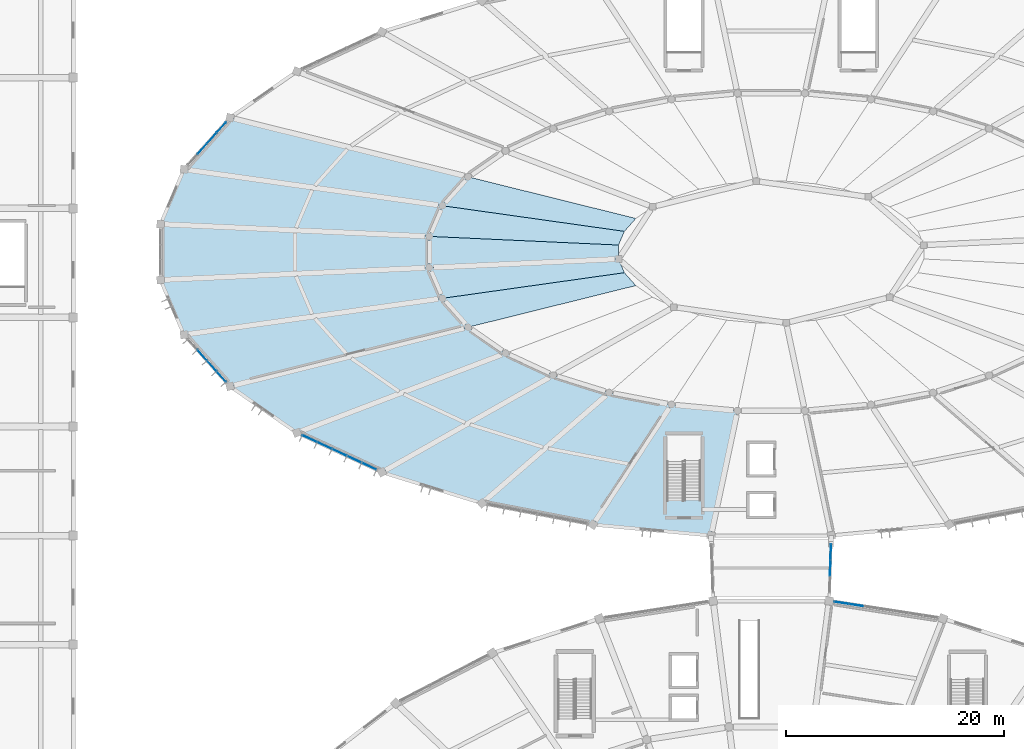
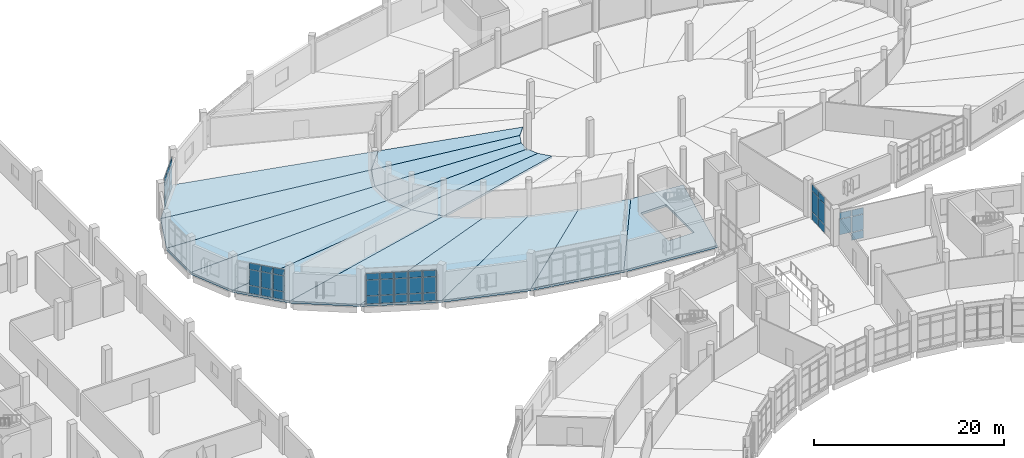
# One storey, part 94 of 179: 44 plates, 15 slabs, 5 elements without a shape of their own.
"""IFC4 building model written with IfcOpenShell, lengths in metres."""

from ifc_helpers import new_model, si_unit, direction, frame, origin, origin_2d, place, context, subcontext, project, spatial, polyline, rectangle, outline, extrude, material, layer, layer_set, type_object, element, aggregate, save


model = new_model("IFC4")

# Units and contexts
model_context = context("Model", 3, precision=1e-05, world=origin(), true_north=direction((0.0, 1.0)))
body_context = subcontext(model_context, "Body", "Model", "MODEL_VIEW")
ifc_project = project(units=[si_unit("LENGTHUNIT", "METRE"), si_unit("AREAUNIT", "SQUARE_METRE"), si_unit("VOLUMEUNIT", "CUBIC_METRE"), si_unit("PLANEANGLEUNIT", "RADIAN"), si_unit("MASSUNIT", "GRAM", prefix="KILO")], contexts=[model_context])

# Site, building, storey
site_placement = place(None, origin())
site = spatial("IfcSite", under=ifc_project, at=site_placement, CompositionType="ELEMENT")
building_placement = place(site_placement, origin())
building = spatial("IfcBuilding", under=site, at=building_placement, Name="Corvandel Quay Wholesale Market", CompositionType="ELEMENT")
storey_placement = place(building_placement, frame((0.0, 0.0, 6.0)))
storey = spatial("IfcBuildingStorey", under=building, at=storey_placement, Name="L01", CompositionType="ELEMENT", Elevation=6.0)

# Curtain wall, plates
ifc_material_1 = material(Name="Bronze anodised aluminium and low-E insulated glazing", Category="aluminium")
ifc_layer_1 = layer(ifc_material_1, 0.162109375)
ifc_layer_set_1 = layer_set([ifc_layer_1], Name="Bronze anodised aluminium and low-E insulated glazing")
curtain_wall_type_1 = type_object("IfcCurtainWallType", Name="Stick Curtain Wall System CW11 H3990", PredefinedType="NOTDEFINED", material=ifc_layer_set_1)
curtain_wall_1_placement = place(storey_placement, origin())
curtain_wall_1 = element("IfcCurtainWall", 1, at=curtain_wall_1_placement, inside=storey, type_object=curtain_wall_type_1, Name="Curtain Wall CW-0018", PredefinedType="NOTDEFINED")
ifc_material_2 = material(Name="Solar-control low-E insulated glazing", Category="glass")
ifc_layer_2 = layer(ifc_material_2, 0.0400390625)
ifc_layer_set_2 = layer_set([ifc_layer_2], Name="Solar-control low-E insulated glazing")
plate_type_1 = type_object("IfcPlateType", Name="Ceramic Fritted Spandrel Panel PN03 40mm", PredefinedType="CURTAIN_PANEL", material=ifc_layer_set_2)
plate_1_placement = place(storey_placement, frame((121.80859375, 83.61474609375, 3.1298828125), z_axis=(0.0, 0.0, 1.0), x_axis=(-0.98825506746, 0.152813355565, 0.0)))
plate_1 = element("IfcPlate", 2, at=plate_1_placement, type_object=plate_type_1, Name="Glazing Panel CW-0018-P05-2", PredefinedType="CURTAIN_PANEL", context=body_context, shape_type="SweptSolid", body=[
    extrude(rectangle(XDim=1.314453125, YDim=0.0400390625, at=origin_2d()), origin(), (0.0, 0.0, 1.0), 0.7900390625),
])
plate_2_placement = place(storey_placement, frame((120.4453125, 83.82568359375, 3.1298828125), z_axis=(0.0, 0.0, 1.0), x_axis=(-0.98825506746, 0.152813355565, 0.0)))
plate_2 = element("IfcPlate", 3, at=plate_2_placement, type_object=plate_type_1, Name="Glazing Panel CW-0018-P06-2", PredefinedType="CURTAIN_PANEL", context=body_context, shape_type="SweptSolid", body=[
    extrude(rectangle(XDim=1.314453125, YDim=0.0400390625, at=origin_2d()), origin(), (0.0, 0.0, 1.0), 0.7900390625),
])

ifc_layer_3 = layer(ifc_material_1, 0.14990234375)
ifc_layer_set_3 = layer_set([ifc_layer_3], Name="Bronze anodised aluminium and low-E insulated glazing")
curtain_wall_type_2 = type_object("IfcCurtainWallType", Name="Stick Curtain Wall System CW20 H4800", PredefinedType="NOTDEFINED", material=ifc_layer_set_3)
curtain_wall_2_placement = place(storey_placement, origin())
curtain_wall_2 = element("IfcCurtainWall", 4, at=curtain_wall_2_placement, inside=storey, type_object=curtain_wall_type_2, Name="Curtain Wall CW-0102", PredefinedType="NOTDEFINED")
plate_3_placement = place(storey_placement, frame((63.57568359375, 127.422119140625, 3.1298828125), z_axis=(0.0, 0.0, 1.0), x_axis=(0.665621202286, 0.746289766155, 0.0)))
plate_3 = element("IfcPlate", 5, at=plate_3_placement, type_object=plate_type_1, Name="Glazing Panel CW-0102-P00-2", PredefinedType="CURTAIN_PANEL", context=body_context, shape_type="SweptSolid", body=[
    extrude(rectangle(XDim=1.250244140625, YDim=0.0400390625, at=origin_2d()), origin(), (0.0, 0.0, 1.0), 0.7900390625),
])
plate_4_placement = place(storey_placement, frame((62.7001953125, 126.440673828125, 3.1298828125), z_axis=(0.0, 0.0, 1.0), x_axis=(0.665621202286, 0.746289766155, 0.0)))
plate_4 = element("IfcPlate", 6, at=plate_4_placement, type_object=plate_type_1, Name="Glazing Panel CW-0102-P01-2", PredefinedType="CURTAIN_PANEL", context=body_context, shape_type="SweptSolid", body=[
    extrude(rectangle(XDim=1.250244140625, YDim=0.0400390625, at=origin_2d()), origin(), (0.0, 0.0, 1.0), 0.7900390625),
])
plate_5_placement = place(storey_placement, frame((61.82470703125, 125.459228515625, 3.1298828125), z_axis=(0.0, 0.0, 1.0), x_axis=(0.665621202286, 0.746289766155, 0.0)))
plate_5 = element("IfcPlate", 7, at=plate_5_placement, type_object=plate_type_1, Name="Glazing Panel CW-0102-P02-2", PredefinedType="CURTAIN_PANEL", context=body_context, shape_type="SweptSolid", body=[
    extrude(rectangle(XDim=1.250244140625, YDim=0.0400390625, at=origin_2d()), origin(), (0.0, 0.0, 1.0), 0.7900390625),
])

ifc_layer_4 = layer(ifc_material_1, 0.197998046875)
ifc_layer_set_4 = layer_set([ifc_layer_4], Name="Bronze anodised aluminium and low-E insulated glazing")
curtain_wall_type_3 = type_object("IfcCurtainWallType", Name="Stick Curtain Wall System CW24 H5160", PredefinedType="NOTDEFINED", material=ifc_layer_set_4)
curtain_wall_3_placement = place(storey_placement, origin())
curtain_wall_3 = element("IfcCurtainWall", 8, at=curtain_wall_3_placement, inside=storey, type_object=curtain_wall_type_3, Name="Curtain Wall CW-0105", PredefinedType="NOTDEFINED")
plate_6_placement = place(storey_placement, frame((61.82470703125, 106.540771484375, 3.1298828125), z_axis=(0.0, 0.0, 1.0), x_axis=(-0.665621202286, 0.746289766155, 0.0)))
plate_6 = element("IfcPlate", 9, at=plate_6_placement, type_object=plate_type_1, Name="Glazing Panel CW-0105-P01-2", PredefinedType="CURTAIN_PANEL", context=body_context, shape_type="SweptSolid", body=[
    extrude(rectangle(XDim=1.250244140625, YDim=0.0400390625, at=origin_2d()), origin(), (0.0, 0.0, 1.0), 0.7900390625),
])
plate_7_placement = place(storey_placement, frame((62.7001953125, 105.559326171875, 3.1298828125), z_axis=(0.0, 0.0, 1.0), x_axis=(-0.665621202286, 0.746289766155, 0.0)))
plate_7 = element("IfcPlate", 10, at=plate_7_placement, type_object=plate_type_1, Name="Glazing Panel CW-0105-P02-2", PredefinedType="CURTAIN_PANEL", context=body_context, shape_type="SweptSolid", body=[
    extrude(rectangle(XDim=1.250244140625, YDim=0.0400390625, at=origin_2d()), origin(), (0.0, 0.0, 1.0), 0.7900390625),
])
plate_8_placement = place(storey_placement, frame((63.57568359375, 104.577880859375, 3.1298828125), z_axis=(0.0, 0.0, 1.0), x_axis=(-0.665621202286, 0.746289766155, 0.0)))
plate_8 = element("IfcPlate", 11, at=plate_8_placement, type_object=plate_type_1, Name="Glazing Panel CW-0105-P03-2", PredefinedType="CURTAIN_PANEL", context=body_context, shape_type="SweptSolid", body=[
    extrude(rectangle(XDim=1.250244140625, YDim=0.0400390625, at=origin_2d()), origin(), (0.0, 0.0, 1.0), 0.7900390625),
])

ifc_layer_5 = layer(ifc_material_1, 0.162109375)
ifc_layer_set_5 = layer_set([ifc_layer_5], Name="Bronze anodised aluminium and low-E insulated glazing")
curtain_wall_type_4 = type_object("IfcCurtainWallType", Name="Stick Curtain Wall System CW26 H5340", PredefinedType="NOTDEFINED", material=ifc_layer_set_5)
curtain_wall_4_placement = place(storey_placement, origin())
curtain_wall_4 = element("IfcCurtainWall", 12, at=curtain_wall_4_placement, inside=storey, type_object=curtain_wall_type_4, Name="Curtain Wall CW-0107", PredefinedType="NOTDEFINED")
plate_9_placement = place(storey_placement, frame((71.673828125, 98.8818359375, 3.1298828125), z_axis=(0.0, 0.0, 1.0), x_axis=(-0.906970515865, 0.421194115999, 0.0)))
plate_9 = element("IfcPlate", 13, at=plate_9_placement, type_object=plate_type_1, Name="Glazing Panel CW-0107-P00-2", PredefinedType="CURTAIN_PANEL", context=body_context, shape_type="SweptSolid", body=[
    extrude(rectangle(XDim=1.43896484375, YDim=0.0400390625, at=origin_2d()), origin(), (0.0, 0.0, 1.0), 0.7900390625),
])
plate_10_placement = place(storey_placement, frame((73.037841796875, 98.248291015625, 3.1298828125), z_axis=(0.0, 0.0, 1.0), x_axis=(-0.906970515865, 0.421194115999, 0.0)))
plate_10 = element("IfcPlate", 14, at=plate_10_placement, type_object=plate_type_1, Name="Glazing Panel CW-0107-P01-2", PredefinedType="CURTAIN_PANEL", context=body_context, shape_type="SweptSolid", body=[
    extrude(rectangle(XDim=1.43896484375, YDim=0.0400390625, at=origin_2d()), origin(), (0.0, 0.0, 1.0), 0.7900390625),
])
plate_11_placement = place(storey_placement, frame((74.402099609375, 97.614990234375, 3.1298828125), z_axis=(0.0, 0.0, 1.0), x_axis=(-0.906970515865, 0.421194115999, 0.0)))
plate_11 = element("IfcPlate", 15, at=plate_11_placement, type_object=plate_type_1, Name="Glazing Panel CW-0107-P02-2", PredefinedType="CURTAIN_PANEL", context=body_context, shape_type="SweptSolid", body=[
    extrude(rectangle(XDim=1.43896484375, YDim=0.0400390625, at=origin_2d()), origin(), (0.0, 0.0, 1.0), 0.7900390625),
])
plate_12_placement = place(storey_placement, frame((75.76611328125, 96.981689453125, 3.1298828125), z_axis=(0.0, 0.0, 1.0), x_axis=(-0.906970515865, 0.421194115999, 0.0)))
plate_12 = element("IfcPlate", 16, at=plate_12_placement, type_object=plate_type_1, Name="Glazing Panel CW-0107-P03-2", PredefinedType="CURTAIN_PANEL", context=body_context, shape_type="SweptSolid", body=[
    extrude(rectangle(XDim=1.43896484375, YDim=0.0400390625, at=origin_2d()), origin(), (0.0, 0.0, 1.0), 0.7900390625),
])
plate_13_placement = place(storey_placement, frame((77.130126953125, 96.34814453125, 3.1298828125), z_axis=(0.0, 0.0, 1.0), x_axis=(-0.906970515865, 0.421194115999, 0.0)))
plate_13 = element("IfcPlate", 17, at=plate_13_placement, type_object=plate_type_1, Name="Glazing Panel CW-0107-P04-2", PredefinedType="CURTAIN_PANEL", context=body_context, shape_type="SweptSolid", body=[
    extrude(rectangle(XDim=1.43896484375, YDim=0.0400390625, at=origin_2d()), origin(), (0.0, 0.0, 1.0), 0.7900390625),
])

ifc_layer_6 = layer(ifc_material_1, 0.174072265625)
ifc_layer_set_6 = layer_set([ifc_layer_6], Name="Bronze anodised aluminium and low-E insulated glazing")
curtain_wall_type_5 = type_object("IfcCurtainWallType", Name="Stick Curtain Wall System CW22 H4980", PredefinedType="NOTDEFINED", material=ifc_layer_set_6)
curtain_wall_5_placement = place(storey_placement, origin())
curtain_wall_5 = element("IfcCurtainWall", 18, at=curtain_wall_5_placement, inside=storey, type_object=curtain_wall_type_5, Name="Curtain Wall CW-0169", PredefinedType="NOTDEFINED")
plate_14_placement = place(storey_placement, frame((119.41796875, 87.012451171875, 3.7275390625), z_axis=(0.0, 0.0, 1.0), x_axis=(0.032806302436, 0.999461728392, 0.0)))
plate_14 = element("IfcPlate", 19, at=plate_14_placement, type_object=plate_type_1, Name="Glazing Panel CW-0169-P01-2", PredefinedType="CURTAIN_PANEL", context=body_context, shape_type="SweptSolid", body=[
    extrude(rectangle(XDim=1.422607421875, YDim=0.0400390625, at=origin_2d()), origin(), (0.0, 0.0, 1.0), 0.794921875),
])
plate_15_placement = place(storey_placement, frame((119.466552734375, 88.494384765625, 3.7275390625), z_axis=(0.0, 0.0, 1.0), x_axis=(0.032806302436, 0.999461728392, 0.0)))
plate_15 = element("IfcPlate", 20, at=plate_15_placement, type_object=plate_type_1, Name="Glazing Panel CW-0169-P02-2", PredefinedType="CURTAIN_PANEL", context=body_context, shape_type="SweptSolid", body=[
    extrude(rectangle(XDim=1.422607421875, YDim=0.0400390625, at=origin_2d()), origin(), (0.0, 0.0, 1.0), 0.794921875),
])

# Slabs
ifc_material_3 = material(Name="Concrete C40/50", Category="concrete")
ifc_layer_7 = layer(ifc_material_3, 0.260009765625)
ifc_layer_set_7 = layer_set([ifc_layer_7], Name="Concrete C40/50")
slab_type_1 = type_object("IfcSlabType", Name="Composite Market Canteen Floor Slab 260", PredefinedType="FLOOR", material=ifc_layer_set_7)
slab_1_placement = place(storey_placement, frame((0.0, 0.0, -0.260009765625)))
element("IfcSlab", 21, at=slab_1_placement, inside=storey, type_object=slab_type_1, Name="Slab SLB-0279", PredefinedType="FLOOR", context=body_context, shape_type="SweptSolid", body=[
    extrude(outline(polyline([(101.593017578125, 119.0791015625), (100.5380859375, 117.89599609375), (83.844970703125, 120.2470703125), (86.208984375, 122.89697265625), (101.593017578125, 119.0791015625)])), origin(), (0.0, 0.0, 1.0), 0.260009765625),
])
slab_2_placement = place(storey_placement, frame((0.0, 0.0, -0.260009765625)))
element("IfcSlab", 22, at=slab_2_placement, inside=storey, type_object=slab_type_1, Name="Slab SLB-0285", PredefinedType="FLOOR", context=body_context, shape_type="SweptSolid", body=[
    extrude(outline(polyline([(100.5380859375, 117.89599609375), (100.0, 116.639892578125), (82.639892578125, 117.43408203125), (83.844970703125, 120.2470703125), (100.5380859375, 117.89599609375)])), origin(), (0.0, 0.0, 1.0), 0.260009765625),
])
slab_3_placement = place(storey_placement, frame((0.0, 0.0, -0.260009765625)))
element("IfcSlab", 23, at=slab_3_placement, inside=storey, type_object=slab_type_1, Name="Slab SLB-0291", PredefinedType="FLOOR", context=body_context, shape_type="SweptSolid", body=[
    extrude(outline(polyline([(100.0, 116.639892578125), (100.0, 115.360107421875), (82.639892578125, 114.56591796875), (82.639892578125, 117.43408203125), (100.0, 116.639892578125)])), origin(), (0.0, 0.0, 1.0), 0.260009765625),
])
slab_4_placement = place(storey_placement, frame((0.0, 0.0, -0.260009765625)))
element("IfcSlab", 24, at=slab_4_placement, inside=storey, type_object=slab_type_1, Name="Slab SLB-0297", PredefinedType="FLOOR", context=body_context, shape_type="SweptSolid", body=[
    extrude(outline(polyline([(100.0, 115.360107421875), (100.5380859375, 114.10400390625), (83.844970703125, 111.7529296875), (82.639892578125, 114.56591796875), (100.0, 115.360107421875)])), origin(), (0.0, 0.0, 1.0), 0.260009765625),
])
slab_5_placement = place(storey_placement, frame((0.0, 0.0, -0.260009765625)))
element("IfcSlab", 25, at=slab_5_placement, inside=storey, type_object=slab_type_1, Name="Slab SLB-0303", PredefinedType="FLOOR", context=body_context, shape_type="SweptSolid", body=[
    extrude(outline(polyline([(100.5380859375, 114.10400390625), (101.593017578125, 112.9208984375), (86.208984375, 109.10302734375), (83.844970703125, 111.7529296875), (100.5380859375, 114.10400390625)])), origin(), (0.0, 0.0, 1.0), 0.260009765625),
])
ifc_layer_8 = layer(ifc_material_3, 0.280029296875)
ifc_layer_set_8 = layer_set([ifc_layer_8], Name="Concrete C40/50")
slab_type_2 = type_object("IfcSlabType", Name="Composite Sorting Gallery Floor Slab 280", PredefinedType="FLOOR", material=ifc_layer_set_8)
slab_6_placement = place(storey_placement, frame((0.0, 0.0, -0.280029296875)))
element("IfcSlab", 26, at=slab_6_placement, inside=storey, type_object=slab_type_2, Name="Slab SLB-0278", PredefinedType="FLOOR", context=body_context, shape_type="SweptSolid", body=[
    extrude(outline(polyline([(86.208984375, 122.89697265625), (83.844970703125, 120.2470703125), (60.152099609375, 123.583984375), (64.373046875, 128.31591796875), (86.208984375, 122.89697265625)])), origin(), (0.0, 0.0, 1.0), 0.280029296875),
])
slab_7_placement = place(storey_placement, frame((0.0, 0.0, -0.280029296875)))
element("IfcSlab", 27, at=slab_7_placement, inside=storey, type_object=slab_type_2, Name="Slab SLB-0284", PredefinedType="FLOOR", context=body_context, shape_type="SweptSolid", body=[
    extrude(outline(polyline([(83.844970703125, 120.2470703125), (82.639892578125, 117.43408203125), (58.0, 118.56103515625), (60.152099609375, 123.583984375), (83.844970703125, 120.2470703125)])), origin(), (0.0, 0.0, 1.0), 0.280029296875),
])
slab_8_placement = place(storey_placement, frame((0.0, 0.0, -0.280029296875)))
element("IfcSlab", 28, at=slab_8_placement, inside=storey, type_object=slab_type_2, Name="Slab SLB-0290", PredefinedType="FLOOR", context=body_context, shape_type="SweptSolid", body=[
    extrude(outline(polyline([(82.639892578125, 117.43408203125), (82.639892578125, 114.56591796875), (58.0, 113.43896484375), (58.0, 118.56103515625), (82.639892578125, 117.43408203125)])), origin(), (0.0, 0.0, 1.0), 0.280029296875),
])
slab_9_placement = place(storey_placement, frame((0.0, 0.0, -0.280029296875)))
element("IfcSlab", 29, at=slab_9_placement, inside=storey, type_object=slab_type_2, Name="Slab SLB-0296", PredefinedType="FLOOR", context=body_context, shape_type="SweptSolid", body=[
    extrude(outline(polyline([(82.639892578125, 114.56591796875), (83.844970703125, 111.7529296875), (60.152099609375, 108.416015625), (58.0, 113.43896484375), (82.639892578125, 114.56591796875)])), origin(), (0.0, 0.0, 1.0), 0.280029296875),
])
slab_10_placement = place(storey_placement, frame((0.0, 0.0, -0.280029296875)))
element("IfcSlab", 30, at=slab_10_placement, inside=storey, type_object=slab_type_2, Name="Slab SLB-0302", PredefinedType="FLOOR", context=body_context, shape_type="SweptSolid", body=[
    extrude(outline(polyline([(83.844970703125, 111.7529296875), (86.208984375, 109.10302734375), (64.373046875, 103.68408203125), (60.152099609375, 108.416015625), (83.844970703125, 111.7529296875)])), origin(), (0.0, 0.0, 1.0), 0.280029296875),
])
slab_11_placement = place(storey_placement, frame((0.0, 0.0, -0.280029296875)))
element("IfcSlab", 31, at=slab_11_placement, inside=storey, type_object=slab_type_2, Name="Slab SLB-0308", PredefinedType="FLOOR", context=body_context, shape_type="SweptSolid", body=[
    extrude(outline(polyline([(86.208984375, 109.10302734375), (89.64111328125, 106.718994140625), (70.501953125, 99.426025390625), (64.373046875, 103.68408203125), (86.208984375, 109.10302734375)])), origin(), (0.0, 0.0, 1.0), 0.280029296875),
])
slab_12_placement = place(storey_placement, frame((0.0, 0.0, -0.280029296875)))
element("IfcSlab", 32, at=slab_12_placement, inside=storey, type_object=slab_type_2, Name="Slab SLB-0314", PredefinedType="FLOOR", context=body_context, shape_type="SweptSolid", body=[
    extrude(outline(polyline([(89.64111328125, 106.718994140625), (94.009033203125, 104.69091796875), (78.302001953125, 95.803955078125), (70.501953125, 99.426025390625), (89.64111328125, 106.718994140625)])), origin(), (0.0, 0.0, 1.0), 0.280029296875),
])
slab_13_placement = place(storey_placement, frame((0.0, 0.0, -0.280029296875)))
element("IfcSlab", 33, at=slab_13_placement, inside=storey, type_object=slab_type_2, Name="Slab SLB-0320", PredefinedType="FLOOR", context=body_context, shape_type="SweptSolid", body=[
    extrude(outline(polyline([(94.009033203125, 104.69091796875), (99.14501953125, 103.096923828125), (87.47412109375, 92.958984375), (78.302001953125, 95.803955078125), (94.009033203125, 104.69091796875)])), origin(), (0.0, 0.0, 1.0), 0.280029296875),
])
slab_14_placement = place(storey_placement, frame((0.0, 0.0, -0.280029296875)))
element("IfcSlab", 34, at=slab_14_placement, inside=storey, type_object=slab_type_2, Name="Slab SLB-0326", PredefinedType="FLOOR", context=body_context, shape_type="SweptSolid", body=[
    extrude(outline(polyline([(99.14501953125, 103.096923828125), (104.85302734375, 102.0), (97.6650390625, 90.9990234375), (87.47412109375, 92.958984375), (99.14501953125, 103.096923828125)])), origin(), (0.0, 0.0, 1.0), 0.280029296875),
])
slab_15_placement = place(storey_placement, frame((0.0, 0.0, -0.280029296875)))
element("IfcSlab", 35, at=slab_15_placement, inside=storey, type_object=slab_type_2, Name="Slab SLB-0332", PredefinedType="FLOOR", context=body_context, shape_type="SweptSolid", body=[
    extrude(outline(polyline([(104.85302734375, 102.0), (110.910888671875, 101.43994140625), (108.48388671875, 90.0), (97.6650390625, 90.9990234375), (104.85302734375, 102.0)]), holes=[polyline([(107.550048828125, 93.300048828125), (107.550048828125, 99.199951171875), (104.449951171875, 99.199951171875), (104.449951171875, 93.300048828125), (107.550048828125, 93.300048828125)])]), origin(), (0.0, 0.0, 1.0), 0.280029296875),
])

# Plate
ifc_layer_9 = layer(ifc_material_2, 0.028076171875)
ifc_layer_set_9 = layer_set([ifc_layer_9], Name="Solar-control low-E insulated glazing")
plate_type_2 = type_object("IfcPlateType", Name="Double Low-E Vision Panel PN01 28mm", PredefinedType="CURTAIN_PANEL", material=ifc_layer_set_9)
plate_16_placement = place(storey_placement, frame((121.80859375, 83.61474609375, 0.02978515625), z_axis=(0.0, 0.0, 1.0), x_axis=(-0.98825506746, 0.152813355565, 0.0)))
plate_16 = element("IfcPlate", 36, at=plate_16_placement, type_object=plate_type_2, Name="Glazing Panel CW-0018-P05-0", PredefinedType="CURTAIN_PANEL", context=body_context, shape_type="SweptSolid", body=[
    extrude(rectangle(XDim=1.314453125, YDim=0.028076171875, at=origin_2d()), origin(), (0.0, 0.0, 1.0), 0.989990234375),
])

plate_17_placement = place(storey_placement, frame((121.80859375, 83.61474609375, 1.080078125), z_axis=(0.0, 0.0, 1.0), x_axis=(-0.98825506746, 0.152813355565, 0.0)))
plate_17 = element("IfcPlate", 37, at=plate_17_placement, type_object=plate_type_2, Name="Glazing Panel CW-0018-P05-1", PredefinedType="CURTAIN_PANEL", context=body_context, shape_type="SweptSolid", body=[
    extrude(rectangle(XDim=1.314453125, YDim=0.028076171875, at=origin_2d()), origin(), (0.0, 0.0, 1.0), 1.989990234375),
])

plate_18_placement = place(storey_placement, frame((120.4453125, 83.82568359375, 1.080078125), z_axis=(0.0, 0.0, 1.0), x_axis=(-0.98825506746, 0.152813355565, 0.0)))
plate_18 = element("IfcPlate", 38, at=plate_18_placement, type_object=plate_type_2, Name="Glazing Panel CW-0018-P06-1", PredefinedType="CURTAIN_PANEL", context=body_context, shape_type="SweptSolid", body=[
    extrude(rectangle(XDim=1.314453125, YDim=0.028076171875, at=origin_2d()), origin(), (0.0, 0.0, 1.0), 1.989990234375),
])

aggregate(curtain_wall_1, [plate_16, plate_17, plate_1, plate_18, plate_2])

plate_19_placement = place(storey_placement, frame((63.57568359375, 127.422119140625, 0.02978515625), z_axis=(0.0, 0.0, 1.0), x_axis=(0.665621202286, 0.746289766155, 0.0)))
plate_19 = element("IfcPlate", 39, at=plate_19_placement, type_object=plate_type_2, Name="Glazing Panel CW-0102-P00-0", PredefinedType="CURTAIN_PANEL", context=body_context, shape_type="SweptSolid", body=[
    extrude(rectangle(XDim=1.250244140625, YDim=0.028076171875, at=origin_2d()), origin(), (0.0, 0.0, 1.0), 0.989990234375),
])

plate_20_placement = place(storey_placement, frame((63.57568359375, 127.422119140625, 1.080078125), z_axis=(0.0, 0.0, 1.0), x_axis=(0.665621202286, 0.746289766155, 0.0)))
plate_20 = element("IfcPlate", 40, at=plate_20_placement, type_object=plate_type_2, Name="Glazing Panel CW-0102-P00-1", PredefinedType="CURTAIN_PANEL", context=body_context, shape_type="SweptSolid", body=[
    extrude(rectangle(XDim=1.250244140625, YDim=0.028076171875, at=origin_2d()), origin(), (0.0, 0.0, 1.0), 1.989990234375),
])

plate_21_placement = place(storey_placement, frame((62.7001953125, 126.440673828125, 0.02978515625), z_axis=(0.0, 0.0, 1.0), x_axis=(0.665621202286, 0.746289766155, 0.0)))
plate_21 = element("IfcPlate", 41, at=plate_21_placement, type_object=plate_type_2, Name="Glazing Panel CW-0102-P01-0", PredefinedType="CURTAIN_PANEL", context=body_context, shape_type="SweptSolid", body=[
    extrude(rectangle(XDim=1.250244140625, YDim=0.028076171875, at=origin_2d()), origin(), (0.0, 0.0, 1.0), 0.989990234375),
])

plate_22_placement = place(storey_placement, frame((62.7001953125, 126.440673828125, 1.080078125), z_axis=(0.0, 0.0, 1.0), x_axis=(0.665621202286, 0.746289766155, 0.0)))
plate_22 = element("IfcPlate", 42, at=plate_22_placement, type_object=plate_type_2, Name="Glazing Panel CW-0102-P01-1", PredefinedType="CURTAIN_PANEL", context=body_context, shape_type="SweptSolid", body=[
    extrude(rectangle(XDim=1.250244140625, YDim=0.028076171875, at=origin_2d()), origin(), (0.0, 0.0, 1.0), 1.989990234375),
])

plate_23_placement = place(storey_placement, frame((61.82470703125, 125.459228515625, 0.02978515625), z_axis=(0.0, 0.0, 1.0), x_axis=(0.665621202286, 0.746289766155, 0.0)))
plate_23 = element("IfcPlate", 43, at=plate_23_placement, type_object=plate_type_2, Name="Glazing Panel CW-0102-P02-0", PredefinedType="CURTAIN_PANEL", context=body_context, shape_type="SweptSolid", body=[
    extrude(rectangle(XDim=1.250244140625, YDim=0.028076171875, at=origin_2d()), origin(), (0.0, 0.0, 1.0), 0.989990234375),
])

plate_24_placement = place(storey_placement, frame((61.82470703125, 125.459228515625, 1.080078125), z_axis=(0.0, 0.0, 1.0), x_axis=(0.665621202286, 0.746289766155, 0.0)))
plate_24 = element("IfcPlate", 44, at=plate_24_placement, type_object=plate_type_2, Name="Glazing Panel CW-0102-P02-1", PredefinedType="CURTAIN_PANEL", context=body_context, shape_type="SweptSolid", body=[
    extrude(rectangle(XDim=1.250244140625, YDim=0.028076171875, at=origin_2d()), origin(), (0.0, 0.0, 1.0), 1.989990234375),
])

aggregate(curtain_wall_2, [plate_19, plate_20, plate_3, plate_21, plate_22, plate_4, plate_23, plate_24, plate_5])

plate_25_placement = place(storey_placement, frame((61.82470703125, 106.540771484375, 0.02978515625), z_axis=(0.0, 0.0, 1.0), x_axis=(-0.665621202286, 0.746289766155, 0.0)))
plate_25 = element("IfcPlate", 45, at=plate_25_placement, type_object=plate_type_2, Name="Glazing Panel CW-0105-P01-0", PredefinedType="CURTAIN_PANEL", context=body_context, shape_type="SweptSolid", body=[
    extrude(rectangle(XDim=1.250244140625, YDim=0.028076171875, at=origin_2d()), origin(), (0.0, 0.0, 1.0), 0.989990234375),
])

plate_26_placement = place(storey_placement, frame((61.82470703125, 106.540771484375, 1.080078125), z_axis=(0.0, 0.0, 1.0), x_axis=(-0.665621202286, 0.746289766155, 0.0)))
plate_26 = element("IfcPlate", 46, at=plate_26_placement, type_object=plate_type_2, Name="Glazing Panel CW-0105-P01-1", PredefinedType="CURTAIN_PANEL", context=body_context, shape_type="SweptSolid", body=[
    extrude(rectangle(XDim=1.250244140625, YDim=0.028076171875, at=origin_2d()), origin(), (0.0, 0.0, 1.0), 1.989990234375),
])

plate_27_placement = place(storey_placement, frame((62.7001953125, 105.559326171875, 0.02978515625), z_axis=(0.0, 0.0, 1.0), x_axis=(-0.665621202286, 0.746289766155, 0.0)))
plate_27 = element("IfcPlate", 47, at=plate_27_placement, type_object=plate_type_2, Name="Glazing Panel CW-0105-P02-0", PredefinedType="CURTAIN_PANEL", context=body_context, shape_type="SweptSolid", body=[
    extrude(rectangle(XDim=1.250244140625, YDim=0.028076171875, at=origin_2d()), origin(), (0.0, 0.0, 1.0), 0.989990234375),
])

plate_28_placement = place(storey_placement, frame((62.7001953125, 105.559326171875, 1.080078125), z_axis=(0.0, 0.0, 1.0), x_axis=(-0.665621202286, 0.746289766155, 0.0)))
plate_28 = element("IfcPlate", 48, at=plate_28_placement, type_object=plate_type_2, Name="Glazing Panel CW-0105-P02-1", PredefinedType="CURTAIN_PANEL", context=body_context, shape_type="SweptSolid", body=[
    extrude(rectangle(XDim=1.250244140625, YDim=0.028076171875, at=origin_2d()), origin(), (0.0, 0.0, 1.0), 1.989990234375),
])

plate_29_placement = place(storey_placement, frame((63.57568359375, 104.577880859375, 0.02978515625), z_axis=(0.0, 0.0, 1.0), x_axis=(-0.665621202286, 0.746289766155, 0.0)))
plate_29 = element("IfcPlate", 49, at=plate_29_placement, type_object=plate_type_2, Name="Glazing Panel CW-0105-P03-0", PredefinedType="CURTAIN_PANEL", context=body_context, shape_type="SweptSolid", body=[
    extrude(rectangle(XDim=1.250244140625, YDim=0.028076171875, at=origin_2d()), origin(), (0.0, 0.0, 1.0), 0.989990234375),
])

plate_30_placement = place(storey_placement, frame((63.57568359375, 104.577880859375, 1.080078125), z_axis=(0.0, 0.0, 1.0), x_axis=(-0.665621202286, 0.746289766155, 0.0)))
plate_30 = element("IfcPlate", 50, at=plate_30_placement, type_object=plate_type_2, Name="Glazing Panel CW-0105-P03-1", PredefinedType="CURTAIN_PANEL", context=body_context, shape_type="SweptSolid", body=[
    extrude(rectangle(XDim=1.250244140625, YDim=0.028076171875, at=origin_2d()), origin(), (0.0, 0.0, 1.0), 1.989990234375),
])

aggregate(curtain_wall_3, [plate_25, plate_26, plate_6, plate_27, plate_28, plate_7, plate_29, plate_30, plate_8])

plate_31_placement = place(storey_placement, frame((71.673828125, 98.8818359375, 0.02978515625), z_axis=(0.0, 0.0, 1.0), x_axis=(-0.906970515865, 0.421194115999, 0.0)))
plate_31 = element("IfcPlate", 51, at=plate_31_placement, type_object=plate_type_2, Name="Glazing Panel CW-0107-P00-0", PredefinedType="CURTAIN_PANEL", context=body_context, shape_type="SweptSolid", body=[
    extrude(rectangle(XDim=1.43896484375, YDim=0.028076171875, at=origin_2d()), origin(), (0.0, 0.0, 1.0), 0.989990234375),
])

plate_32_placement = place(storey_placement, frame((71.673828125, 98.8818359375, 1.080078125), z_axis=(0.0, 0.0, 1.0), x_axis=(-0.906970515865, 0.421194115999, 0.0)))
plate_32 = element("IfcPlate", 52, at=plate_32_placement, type_object=plate_type_2, Name="Glazing Panel CW-0107-P00-1", PredefinedType="CURTAIN_PANEL", context=body_context, shape_type="SweptSolid", body=[
    extrude(rectangle(XDim=1.43896484375, YDim=0.028076171875, at=origin_2d()), origin(), (0.0, 0.0, 1.0), 1.989990234375),
])

plate_33_placement = place(storey_placement, frame((73.037841796875, 98.248291015625, 0.02978515625), z_axis=(0.0, 0.0, 1.0), x_axis=(-0.906970515865, 0.421194115999, 0.0)))
plate_33 = element("IfcPlate", 53, at=plate_33_placement, type_object=plate_type_2, Name="Glazing Panel CW-0107-P01-0", PredefinedType="CURTAIN_PANEL", context=body_context, shape_type="SweptSolid", body=[
    extrude(rectangle(XDim=1.43896484375, YDim=0.028076171875, at=origin_2d()), origin(), (0.0, 0.0, 1.0), 0.989990234375),
])

plate_34_placement = place(storey_placement, frame((73.037841796875, 98.248291015625, 1.080078125), z_axis=(0.0, 0.0, 1.0), x_axis=(-0.906970515865, 0.421194115999, 0.0)))
plate_34 = element("IfcPlate", 54, at=plate_34_placement, type_object=plate_type_2, Name="Glazing Panel CW-0107-P01-1", PredefinedType="CURTAIN_PANEL", context=body_context, shape_type="SweptSolid", body=[
    extrude(rectangle(XDim=1.43896484375, YDim=0.028076171875, at=origin_2d()), origin(), (0.0, 0.0, 1.0), 1.989990234375),
])

plate_35_placement = place(storey_placement, frame((74.402099609375, 97.614990234375, 0.02978515625), z_axis=(0.0, 0.0, 1.0), x_axis=(-0.906970515865, 0.421194115999, 0.0)))
plate_35 = element("IfcPlate", 55, at=plate_35_placement, type_object=plate_type_2, Name="Glazing Panel CW-0107-P02-0", PredefinedType="CURTAIN_PANEL", context=body_context, shape_type="SweptSolid", body=[
    extrude(rectangle(XDim=1.43896484375, YDim=0.028076171875, at=origin_2d()), origin(), (0.0, 0.0, 1.0), 0.989990234375),
])

plate_36_placement = place(storey_placement, frame((74.402099609375, 97.614990234375, 1.080078125), z_axis=(0.0, 0.0, 1.0), x_axis=(-0.906970515865, 0.421194115999, 0.0)))
plate_36 = element("IfcPlate", 56, at=plate_36_placement, type_object=plate_type_2, Name="Glazing Panel CW-0107-P02-1", PredefinedType="CURTAIN_PANEL", context=body_context, shape_type="SweptSolid", body=[
    extrude(rectangle(XDim=1.43896484375, YDim=0.028076171875, at=origin_2d()), origin(), (0.0, 0.0, 1.0), 1.989990234375),
])

plate_37_placement = place(storey_placement, frame((75.76611328125, 96.981689453125, 0.02978515625), z_axis=(0.0, 0.0, 1.0), x_axis=(-0.906970515865, 0.421194115999, 0.0)))
plate_37 = element("IfcPlate", 57, at=plate_37_placement, type_object=plate_type_2, Name="Glazing Panel CW-0107-P03-0", PredefinedType="CURTAIN_PANEL", context=body_context, shape_type="SweptSolid", body=[
    extrude(rectangle(XDim=1.43896484375, YDim=0.028076171875, at=origin_2d()), origin(), (0.0, 0.0, 1.0), 0.989990234375),
])

plate_38_placement = place(storey_placement, frame((75.76611328125, 96.981689453125, 1.080078125), z_axis=(0.0, 0.0, 1.0), x_axis=(-0.906970515865, 0.421194115999, 0.0)))
plate_38 = element("IfcPlate", 58, at=plate_38_placement, type_object=plate_type_2, Name="Glazing Panel CW-0107-P03-1", PredefinedType="CURTAIN_PANEL", context=body_context, shape_type="SweptSolid", body=[
    extrude(rectangle(XDim=1.43896484375, YDim=0.028076171875, at=origin_2d()), origin(), (0.0, 0.0, 1.0), 1.989990234375),
])

plate_39_placement = place(storey_placement, frame((77.130126953125, 96.34814453125, 0.02978515625), z_axis=(0.0, 0.0, 1.0), x_axis=(-0.906970515865, 0.421194115999, 0.0)))
plate_39 = element("IfcPlate", 59, at=plate_39_placement, type_object=plate_type_2, Name="Glazing Panel CW-0107-P04-0", PredefinedType="CURTAIN_PANEL", context=body_context, shape_type="SweptSolid", body=[
    extrude(rectangle(XDim=1.43896484375, YDim=0.028076171875, at=origin_2d()), origin(), (0.0, 0.0, 1.0), 0.989990234375),
])

plate_40_placement = place(storey_placement, frame((77.130126953125, 96.34814453125, 1.080078125), z_axis=(0.0, 0.0, 1.0), x_axis=(-0.906970515865, 0.421194115999, 0.0)))
plate_40 = element("IfcPlate", 60, at=plate_40_placement, type_object=plate_type_2, Name="Glazing Panel CW-0107-P04-1", PredefinedType="CURTAIN_PANEL", context=body_context, shape_type="SweptSolid", body=[
    extrude(rectangle(XDim=1.43896484375, YDim=0.028076171875, at=origin_2d()), origin(), (0.0, 0.0, 1.0), 1.989990234375),
])

aggregate(curtain_wall_4, [plate_31, plate_32, plate_9, plate_33, plate_34, plate_10, plate_35, plate_36, plate_11, plate_37, plate_38, plate_12, plate_39, plate_40, plate_13])

plate_41_placement = place(storey_placement, frame((119.41796875, 87.012451171875, -0.00244140625), z_axis=(0.0, 0.0, 1.0), x_axis=(0.032806302436, 0.999461728392, 0.0)))
plate_41 = element("IfcPlate", 61, at=plate_41_placement, type_object=plate_type_2, Name="Glazing Panel CW-0169-P01-0", PredefinedType="CURTAIN_PANEL", context=body_context, shape_type="SweptSolid", body=[
    extrude(rectangle(XDim=1.422607421875, YDim=0.028076171875, at=origin_2d()), origin(), (0.0, 0.0, 1.0), 0.9951171875),
])

plate_42_placement = place(storey_placement, frame((119.41796875, 87.012451171875, 1.047607421875), z_axis=(0.0, 0.0, 1.0), x_axis=(0.032806302436, 0.999461728392, 0.0)))
plate_42 = element("IfcPlate", 62, at=plate_42_placement, type_object=plate_type_2, Name="Glazing Panel CW-0169-P01-1", PredefinedType="CURTAIN_PANEL", context=body_context, shape_type="SweptSolid", body=[
    extrude(rectangle(XDim=1.422607421875, YDim=0.028076171875, at=origin_2d()), origin(), (0.0, 0.0, 1.0), 2.625),
])

plate_43_placement = place(storey_placement, frame((119.466552734375, 88.494384765625, -0.00244140625), z_axis=(0.0, 0.0, 1.0), x_axis=(0.032806302436, 0.999461728392, 0.0)))
plate_43 = element("IfcPlate", 63, at=plate_43_placement, type_object=plate_type_2, Name="Glazing Panel CW-0169-P02-0", PredefinedType="CURTAIN_PANEL", context=body_context, shape_type="SweptSolid", body=[
    extrude(rectangle(XDim=1.422607421875, YDim=0.028076171875, at=origin_2d()), origin(), (0.0, 0.0, 1.0), 0.9951171875),
])

plate_44_placement = place(storey_placement, frame((119.466552734375, 88.494384765625, 1.047607421875), z_axis=(0.0, 0.0, 1.0), x_axis=(0.032806302436, 0.999461728392, 0.0)))
plate_44 = element("IfcPlate", 64, at=plate_44_placement, type_object=plate_type_2, Name="Glazing Panel CW-0169-P02-1", PredefinedType="CURTAIN_PANEL", context=body_context, shape_type="SweptSolid", body=[
    extrude(rectangle(XDim=1.422607421875, YDim=0.028076171875, at=origin_2d()), origin(), (0.0, 0.0, 1.0), 2.625),
])

aggregate(curtain_wall_5, [plate_41, plate_42, plate_14, plate_43, plate_44, plate_15])

save(model, "model.ifc")
